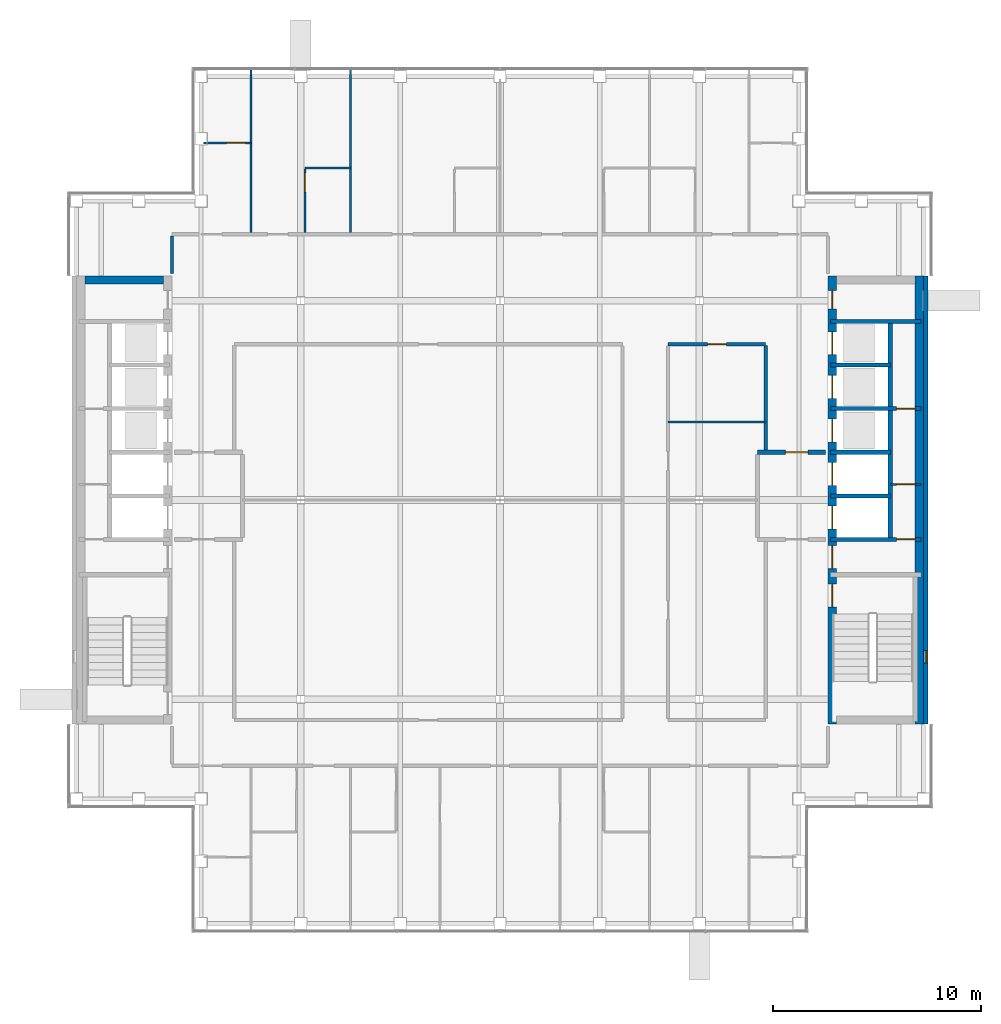
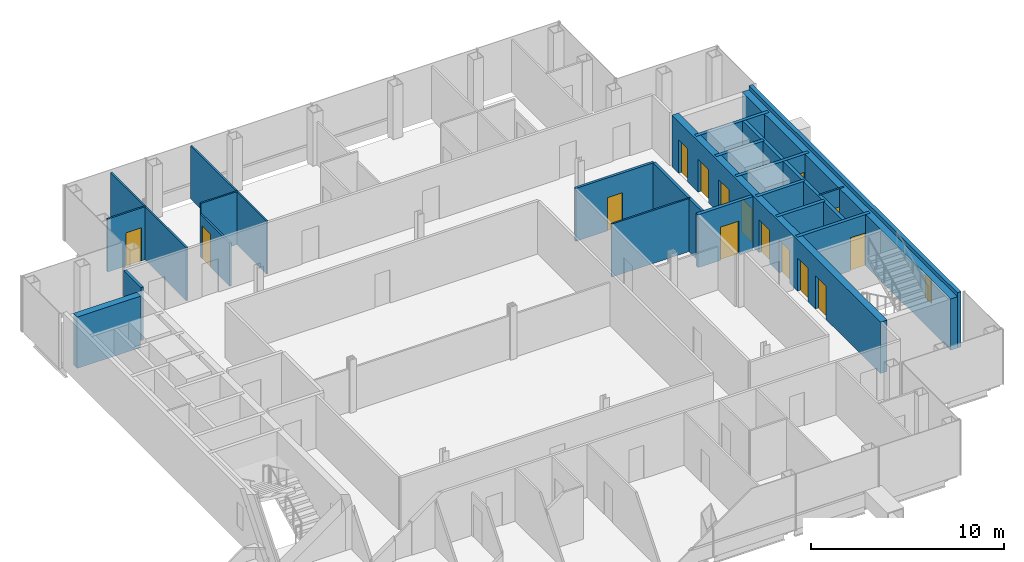
# One storey, part 12 of 15: 23 walls, 15 doors, 1 window, 16 openings.
"""IFC4 building model written with IfcOpenShell, lengths in metres."""

import ifcopenshell
import ifcopenshell.guid

model = None  # the IFC model being written
_history = None  # IfcOwnerHistory: only IFC2X3 demands one
_inside = {}  # id of a spatial element -> (the spatial element, [elements in it])
_under = {}  # id of a project, library or spatial element -> (it, [spatial elements below it])
_declared = {}  # id of a project -> (the project, [libraries it declares])
_typed = {}  # id of a type object -> (the type object, [elements of that type])
_made_of = {}  # id of a material, layer set ... -> (it, [elements and type objects made of it])


def new_model(schema):
    """Start an empty IFC model of exactly this schema.

    Asked for "IFC4X3", IfcOpenShell would pick the latest addendum, in which some entities
    have other attributes; the version numbers below select the first issue.
    IFC2X3 requires an IfcOwnerHistory on every rooted entity: one is made here for all.
    """
    global model, _history
    if schema == "IFC4X3":
        model = ifcopenshell.file(schema_version=(4, 3, 0, 0))
    else:
        model = ifcopenshell.file(schema=schema)
    _inside.clear()
    _under.clear()
    _declared.clear()
    _typed.clear()
    _made_of.clear()
    _history = None
    if model.schema == "IFC2X3":
        org = make("IfcOrganization", Name="unknown")
        user = make(
            "IfcPersonAndOrganization",
            ThePerson=make("IfcPerson", FamilyName="unknown"),
            TheOrganization=org,
        )
        app = make(
            "IfcApplication",
            ApplicationDeveloper=org,
            Version="unknown",
            ApplicationFullName="unknown",
            ApplicationIdentifier="unknown",
        )
        _history = make(
            "IfcOwnerHistory",
            OwningUser=user,
            OwningApplication=app,
            ChangeAction="ADDED",
            CreationDate=0,
        )
    return model


def make(cls, **values):
    """One entity of the class cls with the attributes given. An attribute that is None is left unset."""
    return model.create_entity(
        cls, **{name: value for name, value in values.items() if value is not None}
    )


def rooted(cls, **values):
    """An entity with a GlobalId (a new one), such as an element, a storey or a relation."""
    return make(cls, GlobalId=ifcopenshell.guid.new(), OwnerHistory=_history, **values)


def si_unit(unit_type, name, prefix=None):
    """IfcSIUnit, for example si_unit("LENGTHUNIT", "METRE", prefix="MILLI")."""
    return make("IfcSIUnit", UnitType=unit_type, Prefix=prefix, Name=name)


def assignment(units):
    """IfcUnitAssignment: the units of a project."""
    return None if units is None else make("IfcUnitAssignment", Units=units)


def point(xyz):
    """IfcCartesianPoint."""
    return None if xyz is None else make("IfcCartesianPoint", Coordinates=xyz)


def direction(xyz):
    """IfcDirection."""
    return None if xyz is None else make("IfcDirection", DirectionRatios=xyz)


def frame(location, z_axis=None, x_axis=None):
    """IfcAxis2Placement3D, a coordinate frame: its origin and axes. An axis left out is left unset."""
    return make(
        "IfcAxis2Placement3D",
        Location=point(location),
        Axis=direction(z_axis),
        RefDirection=direction(x_axis),
    )


def frame_2d(location, x_axis=None):
    """IfcAxis2Placement2D, a coordinate frame in the plane: its origin and x axis."""
    return make(
        "IfcAxis2Placement2D", Location=point(location), RefDirection=direction(x_axis)
    )


def origin():
    """The frame at (0, 0, 0) with its axes left unset."""
    return frame((0.0, 0.0, 0.0))


def place(relative_to, where):
    """IfcLocalPlacement: puts the frame where relative to a parent placement (None: the world)."""
    return make(
        "IfcLocalPlacement", PlacementRelTo=relative_to, RelativePlacement=where
    )


def context(
    kind, dimensions, precision=None, world=None, true_north=None, identifier=None
):
    """IfcGeometricRepresentationContext, for example the 3D "Model" context."""
    return make(
        "IfcGeometricRepresentationContext",
        ContextIdentifier=identifier,
        ContextType=kind,
        CoordinateSpaceDimension=dimensions,
        Precision=precision,
        WorldCoordinateSystem=world,
        TrueNorth=true_north,
    )


def subcontext(parent, identifier, kind, view, scale=None):
    """IfcGeometricRepresentationSubContext, for example "Body" below "Model"."""
    return make(
        "IfcGeometricRepresentationSubContext",
        ContextIdentifier=identifier,
        ContextType=kind,
        ParentContext=parent,
        TargetScale=scale,
        TargetView=view,
    )


def project(units=None, contexts=None):
    """IfcProject with its units and contexts."""
    return rooted(
        "IfcProject",
        Name="project",
        RepresentationContexts=contexts,
        UnitsInContext=assignment(units),
    )


def spatial(cls, under=None, at=None, **own):
    """A site, building, storey or space (cls), placed at a placement, below another one or the project."""
    s = rooted(cls, ObjectPlacement=at, **own)
    if under is not None:
        _under.setdefault(under.id(), (under, []))[1].append(s)
    return s


def profile(cls, at=None, kind="AREA", **sizes):
    """A parametric profile (cls). Its sizes go by their IFC names, for example OverallWidth=200.0."""
    return make(cls, ProfileType=kind, Position=at, **sizes)


def rectangle(**sizes):
    """IfcRectangleProfileDef."""
    return profile("IfcRectangleProfileDef", **sizes)


def extrude(swept, where, along, depth):
    """IfcExtrudedAreaSolid: the profile swept, set in the frame where, extruded along a direction by depth."""
    return make(
        "IfcExtrudedAreaSolid",
        SweptArea=swept,
        Position=where,
        ExtrudedDirection=direction(along),
        Depth=depth,
    )


def shape(context_of_items, identifier, shape_type, items):
    """IfcShapeRepresentation: the items that make up one representation, for example the "Body"."""
    return make(
        "IfcShapeRepresentation",
        ContextOfItems=context_of_items,
        RepresentationIdentifier=identifier,
        RepresentationType=shape_type,
        Items=items,
    )


def material(Name=None, Category=None):
    """IfcMaterial."""
    return make("IfcMaterial", Name=Name, Category=Category)


def layer(
    of_material, thickness, ventilated=None, Name=None, Category=None, Priority=None
):
    """IfcMaterialLayer: one layer of a wall or slab, of a material (None: an air gap)."""
    return make(
        "IfcMaterialLayer",
        Material=of_material,
        LayerThickness=thickness,
        IsVentilated=ventilated,
        Name=Name,
        Category=Category,
        Priority=Priority,
    )


def layer_set(layers, Name=None):
    """IfcMaterialLayerSet."""
    return make("IfcMaterialLayerSet", MaterialLayers=layers, LayerSetName=Name)


def made_of(thing, what):
    """Note that an element or type object is made of a material, layer set ...; save() writes the relation."""
    if what is not None:
        _made_of.setdefault(what.id(), (what, []))[1].append(thing)
    return thing


def type_object(cls, material=None, **own):
    """A type object (cls), such as IfcWallType, which elements share."""
    return made_of(rooted(cls, **own), material)


def element(
    cls,
    number,
    at=None,
    inside=None,
    cuts=None,
    type_object=None,
    material=None,
    context=None,
    identifier="Body",
    shape_type=None,
    held_by="IfcProductDefinitionShape",
    body=None,
    shapes=None,
    **own,
):
    """One element of the class cls, such as IfcWall. Its Tag is "e" and its number.

    at: its placement. inside: the storey or other place that contains it. cuts: it is an
    opening in that element (IfcRelVoidsElement). A single representation is given by context,
    identifier, shape_type and body (its items); several are given by shapes. held_by: the class
    of the entity that holds the representations. save() writes the other relations.
    """
    e = rooted(cls, Tag="e%d" % number, ObjectPlacement=at, **own)
    if body is not None:
        shapes = [shape(context, identifier, shape_type, body)]
    if shapes is not None:
        e.Representation = make(held_by, Representations=shapes)
    if inside is not None:
        _inside.setdefault(inside.id(), (inside, []))[1].append(e)
    if cuts is not None:
        rooted(
            "IfcRelVoidsElement", RelatingBuildingElement=cuts, RelatedOpeningElement=e
        )
    if type_object is not None:
        _typed.setdefault(type_object.id(), (type_object, []))[1].append(e)
    return made_of(e, material)


def fill(opening, filler):
    """IfcRelFillsElement: the door or window that sits in an opening."""
    return rooted(
        "IfcRelFillsElement",
        RelatingOpeningElement=opening,
        RelatedBuildingElement=filler,
    )


def aggregate(whole, parts):
    """IfcRelAggregates: a whole, such as a stair, and the parts it consists of."""
    return rooted("IfcRelAggregates", RelatingObject=whole, RelatedObjects=parts)


def save(model, path):
    """Write the relations noted so far, then the file.

    IfcRelAggregates (storeys below a building ...), IfcRelContainedInSpatialStructure (elements
    in a storey), IfcRelDefinesByType, IfcRelAssociatesMaterial and IfcRelDeclares: one each for
    every whole, place, type object, material and project.
    """
    for whole, parts in _under.values():
        aggregate(whole, parts)
    for where, things in _inside.values():
        rooted(
            "IfcRelContainedInSpatialStructure",
            RelatedElements=things,
            RelatingStructure=where,
        )
    for kind, things in _typed.values():
        rooted("IfcRelDefinesByType", RelatedObjects=things, RelatingType=kind)
    for what, things in _made_of.values():
        rooted("IfcRelAssociatesMaterial", RelatedObjects=things, RelatingMaterial=what)
    for by, libraries in _declared.values():
        rooted("IfcRelDeclares", RelatingContext=by, RelatedDefinitions=libraries)
    model.write(path)


model = new_model("IFC4")

# Units and contexts
model_context = context("Model", 3, precision=1e-05, world=origin(), true_north=direction((0.0, 1.0)))
body_context = subcontext(model_context, "Body", "Model", "MODEL_VIEW")
ifc_project = project(units=[si_unit("LENGTHUNIT", "METRE"), si_unit("AREAUNIT", "SQUARE_METRE"), si_unit("VOLUMEUNIT", "CUBIC_METRE"), si_unit("PLANEANGLEUNIT", "RADIAN"), si_unit("MASSUNIT", "GRAM", prefix="KILO")], contexts=[model_context])

# Site, building, storey
site_placement = place(None, origin())
site = spatial("IfcSite", under=ifc_project, at=site_placement, CompositionType="ELEMENT")
building_placement = place(site_placement, origin())
building = spatial("IfcBuilding", under=site, at=building_placement, Name="Cobrizo Arcos Hotel Tower", CompositionType="ELEMENT")
storey_placement = place(building_placement, frame((0.0, 0.0, 258.5)))
storey = spatial("IfcBuildingStorey", under=building, at=storey_placement, Name="L68", CompositionType="ELEMENT", Elevation=258.5)

# Wall, opening, door
ifc_material_1 = material(Name="Gypsum board partition")
ifc_layer_1 = layer(ifc_material_1, 0.14990234375)
ifc_layer_set_1 = layer_set([ifc_layer_1], Name="Corridor wall EI 60 150")
wall_type_1 = type_object("IfcWallType", Name="Corridor wall EI 60 150", PredefinedType="PARTITIONING", material=ifc_layer_set_1)
wall_1_placement = place(storey_placement, frame((8.10009765625, 7.5, 0.0), z_axis=(0.0, 0.0, 1.0), x_axis=(1.0, 0.0, 0.0)))
wall_1 = element("IfcWall", 1, at=wall_1_placement, inside=storey, type_object=wall_type_1, Name="Partition 037", PredefinedType="PARTITIONING", context=body_context, shape_type="SweptSolid", body=[
    extrude(rectangle(XDim=4.699951171875, YDim=0.14990234375, at=frame_2d((2.35009765625, 0.0))), origin(), (0.0, 0.0, 1.0), 3.35009765625),
])
opening_1_placement = place(wall_1_placement, frame((1.89990234375, 0.0, 0.0)))
opening_1 = element("IfcOpeningElement", 2, at=opening_1_placement, cuts=wall_1, Name="Opening ED-13", PredefinedType="OPENING", context=body_context, shape_type="SweptSolid", body=[
    extrude(rectangle(XDim=0.89990234375, YDim=2.10009765625, at=frame_2d((0.449951171875, 1.050048828125))), frame((0.0, 0.0869140625, 0.0), z_axis=(0.0, -1.0, 0.0), x_axis=(1.0, 0.0, 0.0)), (0.0, 0.0, 1.0), 0.173828125),
])
ifc_material_2 = material(Name="Timber door leaf", Category="wood")
door_type_1 = type_object("IfcDoorType", Name="En-suite door 900x2100", OperationType="SINGLE_SWING_LEFT", PredefinedType="DOOR", material=ifc_material_2)
door_1_placement = place(opening_1_placement, origin())
door_1 = element("IfcDoor", 3, at=door_1_placement, inside=storey, type_object=door_type_1, Name="Door ED-13", OperationType="SINGLE_SWING_LEFT", OverallHeight=2.10009765625, OverallWidth=0.89990234375, PredefinedType="DOOR", context=body_context, shape_type="SweptSolid", body=[
    extrude(rectangle(XDim=0.89990234375, YDim=2.10009765625, at=frame_2d((0.449951171875, 1.050048828125))), frame((0.0, 0.02490234375, 0.0), z_axis=(0.0, -1.0, 0.0), x_axis=(1.0, 0.0, 0.0)), (0.0, 0.0, 1.0), 0.050048828125),
])
fill(opening_1, door_1)

# Walls
wall_2_placement = place(storey_placement, frame((-15.800048828125, 10.919921875, 0.0), z_axis=(0.0, 0.0, 1.0), x_axis=(0.0, 1.0, 0.0)))
element("IfcWall", 4, at=wall_2_placement, inside=storey, type_object=wall_type_1, Name="Partition 050", PredefinedType="PARTITIONING", context=body_context, shape_type="SweptSolid", body=[
    extrude(rectangle(XDim=1.80517578125, YDim=0.14990234375, at=frame_2d((0.902587890625, 0.0))), origin(), (0.0, 0.0, 1.0), 3.35009765625),
])
wall_3_placement = place(storey_placement, frame((12.800048828125, 2.39990234375, 0.0), z_axis=(0.0, 0.0, 1.0), x_axis=(0.0, 1.0, 0.0)))
element("IfcWall", 5, at=wall_3_placement, inside=storey, type_object=wall_type_1, Name="Partition 077", PredefinedType="PARTITIONING", context=body_context, shape_type="SweptSolid", body=[
    extrude(rectangle(XDim=5.050048828125, YDim=0.14990234375, at=frame_2d((2.52490234375, 0.0))), origin(), (0.0, 0.0, 1.0), 3.35009765625),
])

# Wall, opening, window
ifc_material_3 = material(Name="Aluminium composite panel pale metal", Category="aluminium")
ifc_layer_2 = layer(ifc_material_3, 0.22509765625)
ifc_layer_set_2 = layer_set([ifc_layer_2], Name="EW-1 insulated panel wall 225")
wall_type_2 = type_object("IfcWallType", Name="EW-1 insulated panel wall 225", PredefinedType="SOLIDWALL", material=ifc_layer_set_2)
wall_4_placement = place(storey_placement, frame((20.512451171875, -10.800048828125, 0.0), z_axis=(0.0, 0.0, 1.0), x_axis=(0.0, 1.0, 0.0)))
wall_4 = element("IfcWall", 6, at=wall_4_placement, inside=storey, type_object=wall_type_2, Name="Core face wall L68 E", PredefinedType="SOLIDWALL", context=body_context, shape_type="SweptSolid", body=[
    extrude(rectangle(XDim=21.60009765625, YDim=0.22509765625, at=frame_2d((10.800048828125, 0.0))), origin(), (0.0, 0.0, 1.0), 3.5),
])
opening_2_placement = place(wall_4_placement, frame((2.949951171875, 0.0, 1.0)))
opening_2 = element("IfcOpeningElement", 7, at=opening_2_placement, cuts=wall_4, Name="Opening W-155", PredefinedType="OPENING", context=body_context, shape_type="SweptSolid", body=[
    extrude(rectangle(XDim=0.60009765625, YDim=1.5, at=frame_2d((0.300048828125, 0.75))), frame((0.0, 0.12451171875, 0.0), z_axis=(0.0, -1.0, 0.0), x_axis=(1.0, 0.0, 0.0)), (0.0, 0.0, 1.0), 0.2490234375),
])
ifc_material_4 = material(Name="Aluminium 6063-T6 and clear laminated glass", Category="aluminium")
window_type = type_object("IfcWindowType", Name="W-C1 core stair slot window 600x1500", PartitioningType="SINGLE_PANEL", PredefinedType="WINDOW", material=ifc_material_4)
window_placement = place(opening_2_placement, origin())
window = element("IfcWindow", 8, at=window_placement, inside=storey, type_object=window_type, Name="Core face wall L68 E window W-155", OverallHeight=1.5, OverallWidth=0.60009765625, PartitioningType="SINGLE_PANEL", PredefinedType="WINDOW", context=body_context, shape_type="SweptSolid", body=[
    extrude(rectangle(XDim=0.60009765625, YDim=1.5, at=frame_2d((0.300048828125, 0.75))), frame((0.0, -0.0224609375, 0.0), z_axis=(0.0, -1.0, 0.0), x_axis=(1.0, 0.0, 0.0)), (0.0, 0.0, 1.0), 0.06005859375),
])
fill(opening_2, window)

# Wall, opening, door
ifc_layer_3 = layer(ifc_material_1, 0.10009765625)
ifc_layer_set_3 = layer_set([ifc_layer_3], Name="Partition EI 30 100")
wall_type_3 = type_object("IfcWallType", Name="Partition EI 30 100", PredefinedType="PARTITIONING", material=ifc_layer_set_3)
wall_5_placement = place(storey_placement, frame((18.800048828125, 0.75, 0.0), z_axis=(0.0, 0.0, 1.0), x_axis=(1.0, 0.0, 0.0)))
wall_5 = element("IfcWall", 9, at=wall_5_placement, inside=storey, type_object=wall_type_3, Name="Partition 026", PredefinedType="PARTITIONING", context=body_context, shape_type="SweptSolid", body=[
    extrude(rectangle(XDim=1.47998046875, YDim=0.10009765625, at=frame_2d((0.739990234375, 0.0))), origin(), (0.0, 0.0, 1.0), 3.25),
])
opening_3_placement = place(wall_5_placement, frame((0.300048828125, 0.0, 0.0)))
opening_3 = element("IfcOpeningElement", 10, at=opening_3_placement, cuts=wall_5, Name="Opening RD-07", PredefinedType="OPENING", context=body_context, shape_type="SweptSolid", body=[
    extrude(rectangle(XDim=0.89990234375, YDim=2.10009765625, at=frame_2d((0.449951171875, 1.050048828125))), frame((0.0, 0.06201171875, 0.0), z_axis=(0.0, -1.0, 0.0), x_axis=(1.0, 0.0, 0.0)), (0.0, 0.0, 1.0), 0.1240234375),
])
door_type_2 = type_object("IfcDoorType", Name="Room door FD30 900x2100", OperationType="SINGLE_SWING_LEFT", PredefinedType="DOOR", material=ifc_material_2)
door_2_placement = place(opening_3_placement, origin())
door_2 = element("IfcDoor", 11, at=door_2_placement, inside=storey, type_object=door_type_2, Name="Door RD-07", OperationType="SINGLE_SWING_RIGHT", OverallHeight=2.10009765625, OverallWidth=0.89990234375, PredefinedType="DOOR", context=body_context, shape_type="SweptSolid", body=[
    extrude(rectangle(XDim=0.89990234375, YDim=2.10009765625, at=frame_2d((0.449951171875, 1.050048828125))), frame((0.0, 0.02490234375, 0.0), z_axis=(0.0, -1.0, 0.0), x_axis=(1.0, 0.0, 0.0)), (0.0, 0.0, 1.0), 0.050048828125),
])
fill(opening_3, door_2)

# Walls
wall_6_placement = place(storey_placement, frame((8.10009765625, 3.75, 0.0), z_axis=(0.0, 0.0, 1.0), x_axis=(1.0, 0.0, 0.0)))
element("IfcWall", 12, at=wall_6_placement, inside=storey, type_object=wall_type_3, Name="Partition 031", PredefinedType="PARTITIONING", context=body_context, shape_type="SweptSolid", body=[
    extrude(rectangle(XDim=4.699951171875, YDim=0.10009765625, at=frame_2d((2.35009765625, 0.0))), origin(), (0.0, 0.0, 1.0), 3.35009765625),
])
wall_7_placement = place(storey_placement, frame((-9.39990234375, 16.0, 0.0), z_axis=(0.0, 0.0, 1.0), x_axis=(1.0, 0.0, 0.0)))
element("IfcWall", 13, at=wall_7_placement, inside=storey, type_object=wall_type_3, Name="Partition 041", PredefinedType="PARTITIONING", context=body_context, shape_type="SweptSolid", body=[
    extrude(rectangle(XDim=2.199951171875, YDim=0.10009765625, at=frame_2d((1.10009765625, 0.0))), origin(), (0.0, 0.0, 1.0), 3.35009765625),
])

# Wall, opening, door
wall_8_placement = place(storey_placement, frame((-14.280029296875, 17.199951171875, 0.0), z_axis=(0.0, 0.0, 1.0), x_axis=(1.0, 0.0, 0.0)))
wall_8 = element("IfcWall", 14, at=wall_8_placement, inside=storey, type_object=wall_type_3, Name="Partition 044", PredefinedType="PARTITIONING", context=body_context, shape_type="SweptSolid", body=[
    extrude(rectangle(XDim=2.280029296875, YDim=0.10009765625, at=frame_2d((1.14013671875, 0.0))), origin(), (0.0, 0.0, 1.0), 3.35009765625),
])
opening_4_placement = place(wall_8_placement, frame((1.110107421875, 0.0, 0.0)))
opening_4 = element("IfcOpeningElement", 15, at=opening_4_placement, cuts=wall_8, Name="Opening ED-09", PredefinedType="OPENING", context=body_context, shape_type="SweptSolid", body=[
    extrude(rectangle(XDim=0.89990234375, YDim=2.10009765625, at=frame_2d((0.449951171875, 1.050048828125))), frame((0.0, 0.06201171875, 0.0), z_axis=(0.0, -1.0, 0.0), x_axis=(1.0, 0.0, 0.0)), (0.0, 0.0, 1.0), 0.1240234375),
])
door_3_placement = place(opening_4_placement, origin())
door_3 = element("IfcDoor", 16, at=door_3_placement, inside=storey, type_object=door_type_1, Name="Door ED-09", OperationType="SINGLE_SWING_RIGHT", OverallHeight=2.10009765625, OverallWidth=0.89990234375, PredefinedType="DOOR", context=body_context, shape_type="SweptSolid", body=[
    extrude(rectangle(XDim=0.89990234375, YDim=2.10009765625, at=frame_2d((0.449951171875, 1.050048828125))), frame((0.0, 0.02490234375, 0.0), z_axis=(0.0, -1.0, 0.0), x_axis=(1.0, 0.0, 0.0)), (0.0, 0.0, 1.0), 0.050048828125),
])
fill(opening_4, door_3)

# Wall
wall_9_placement = place(storey_placement, frame((-12.0, 12.875, 0.0), z_axis=(0.0, 0.0, 1.0), x_axis=(0.0, 1.0, 0.0)))
element("IfcWall", 17, at=wall_9_placement, inside=storey, type_object=wall_type_3, Name="Partition 055", PredefinedType="PARTITIONING", context=body_context, shape_type="SweptSolid", body=[
    extrude(rectangle(XDim=7.85498046875, YDim=0.10009765625, at=frame_2d((3.927490234375, 0.0))), origin(), (0.0, 0.0, 1.0), 3.35009765625),
])

# Wall, opening, door
wall_10_placement = place(storey_placement, frame((-9.39990234375, 12.875, 0.0), z_axis=(0.0, 0.0, 1.0), x_axis=(0.0, 1.0, 0.0)))
wall_10 = element("IfcWall", 18, at=wall_10_placement, inside=storey, type_object=wall_type_3, Name="Partition 057", PredefinedType="PARTITIONING", context=body_context, shape_type="SweptSolid", body=[
    extrude(rectangle(XDim=3.074951171875, YDim=0.10009765625, at=frame_2d((1.53759765625, 0.0))), origin(), (0.0, 0.0, 1.0), 2.72802734375),
])
opening_5_placement = place(wall_10_placement, frame((1.970947265625, 0.0, 0.0)))
opening_5 = element("IfcOpeningElement", 19, at=opening_5_placement, cuts=wall_10, Name="Opening ED-01", PredefinedType="OPENING", context=body_context, shape_type="SweptSolid", body=[
    extrude(rectangle(XDim=0.89990234375, YDim=2.10009765625, at=frame_2d((0.449951171875, 1.050048828125))), frame((0.0, 0.06201171875, 0.0), z_axis=(0.0, -1.0, 0.0), x_axis=(1.0, 0.0, 0.0)), (0.0, 0.0, 1.0), 0.1240234375),
])
door_4_placement = place(opening_5_placement, origin())
door_4 = element("IfcDoor", 20, at=door_4_placement, inside=storey, type_object=door_type_1, Name="Door ED-01", OperationType="SINGLE_SWING_LEFT", OverallHeight=2.10009765625, OverallWidth=0.89990234375, PredefinedType="DOOR", context=body_context, shape_type="SweptSolid", body=[
    extrude(rectangle(XDim=0.89990234375, YDim=2.10009765625, at=frame_2d((0.449951171875, 1.050048828125))), frame((0.0, 0.02490234375, 0.0), z_axis=(0.0, -1.0, 0.0), x_axis=(1.0, 0.0, 0.0)), (0.0, 0.0, 1.0), 0.050048828125),
])
fill(opening_5, door_4)

# Wall
wall_11_placement = place(storey_placement, frame((-7.199951171875, 12.875, 0.0), z_axis=(0.0, 0.0, 1.0), x_axis=(0.0, 1.0, 0.0)))
element("IfcWall", 21, at=wall_11_placement, inside=storey, type_object=wall_type_3, Name="Partition 059", PredefinedType="PARTITIONING", context=body_context, shape_type="SweptSolid", body=[
    extrude(rectangle(XDim=7.85498046875, YDim=0.10009765625, at=frame_2d((3.927490234375, 0.0))), origin(), (0.0, 0.0, 1.0), 3.35009765625),
])

# Wall, openings, doors
ifc_material_5 = material(Name="Concrete f'c 40 MPa", Category="concrete")
ifc_layer_4 = layer(ifc_material_5, 0.39990234375)
ifc_layer_set_4 = layer_set([ifc_layer_4], Name="RC core wall 400 f'c 40")
wall_type_4 = type_object("IfcWallType", Name="RC core wall 400 f'c 40", PredefinedType="SHEAR", material=ifc_layer_set_4)
wall_12_placement = place(storey_placement, frame((16.0, -10.800048828125, 0.0), z_axis=(0.0, 0.0, 1.0), x_axis=(0.0, 1.0, 0.0)))
wall_12 = element("IfcWall", 22, at=wall_12_placement, inside=storey, type_object=wall_type_4, Name="Core wall CW4, east core, inner face, L68", PredefinedType="SHEAR", context=body_context, shape_type="SweptSolid", body=[
    extrude(rectangle(XDim=21.60009765625, YDim=0.39990234375, at=frame_2d((10.800048828125, 0.0))), origin(), (0.0, 0.0, 1.0), 3.25),
])
opening_6_placement = place(wall_12_placement, frame((9.39990234375, 0.0, 0.0)))
opening_6 = element("IfcOpeningElement", 23, at=opening_6_placement, cuts=wall_12, Name="Opening LD-06", PredefinedType="OPENING", context=body_context, shape_type="SweptSolid", body=[
    extrude(rectangle(XDim=1.10009765625, YDim=2.10009765625, at=frame_2d((0.550048828125, 1.050048828125))), frame((0.0, 0.2119140625, 0.0), z_axis=(0.0, -1.0, 0.0), x_axis=(1.0, 0.0, 0.0)), (0.0, 0.0, 1.0), 0.423828125),
])
opening_7_placement = place(wall_12_placement, frame((11.5, 0.0, 0.0)))
opening_7 = element("IfcOpeningElement", 24, at=opening_7_placement, cuts=wall_12, Name="Opening LD-07", PredefinedType="OPENING", context=body_context, shape_type="SweptSolid", body=[
    extrude(rectangle(XDim=1.10009765625, YDim=2.10009765625, at=frame_2d((0.550048828125, 1.050048828125))), frame((0.0, 0.2119140625, 0.0), z_axis=(0.0, -1.0, 0.0), x_axis=(1.0, 0.0, 0.0)), (0.0, 0.0, 1.0), 0.423828125),
])
opening_8_placement = place(wall_12_placement, frame((13.60009765625, 0.0, 0.0)))
opening_8 = element("IfcOpeningElement", 25, at=opening_8_placement, cuts=wall_12, Name="Opening LD-08", PredefinedType="OPENING", context=body_context, shape_type="SweptSolid", body=[
    extrude(rectangle(XDim=1.10009765625, YDim=2.10009765625, at=frame_2d((0.550048828125, 1.050048828125))), frame((0.0, 0.2119140625, 0.0), z_axis=(0.0, -1.0, 0.0), x_axis=(1.0, 0.0, 0.0)), (0.0, 0.0, 1.0), 0.423828125),
])
opening_9_placement = place(wall_12_placement, frame((15.699951171875, 0.0, 0.0)))
opening_9 = element("IfcOpeningElement", 26, at=opening_9_placement, cuts=wall_12, Name="Opening LD-09", PredefinedType="OPENING", context=body_context, shape_type="SweptSolid", body=[
    extrude(rectangle(XDim=1.10009765625, YDim=2.10009765625, at=frame_2d((0.550048828125, 1.050048828125))), frame((0.0, 0.2119140625, 0.0), z_axis=(0.0, -1.0, 0.0), x_axis=(1.0, 0.0, 0.0)), (0.0, 0.0, 1.0), 0.423828125),
])
opening_10_placement = place(wall_12_placement, frame((17.800048828125, 0.0, 0.0)))
opening_10 = element("IfcOpeningElement", 27, at=opening_10_placement, cuts=wall_12, Name="Opening LD-10", PredefinedType="OPENING", context=body_context, shape_type="SweptSolid", body=[
    extrude(rectangle(XDim=1.10009765625, YDim=2.10009765625, at=frame_2d((0.550048828125, 1.050048828125))), frame((0.0, 0.2119140625, 0.0), z_axis=(0.0, -1.0, 0.0), x_axis=(1.0, 0.0, 0.0)), (0.0, 0.0, 1.0), 0.423828125),
])
opening_11_placement = place(wall_12_placement, frame((5.64208984375, 0.0, 0.0)))
opening_11 = element("IfcOpeningElement", 28, at=opening_11_placement, cuts=wall_12, Name="Opening SD-02", PredefinedType="OPENING", context=body_context, shape_type="SweptSolid", body=[
    extrude(rectangle(XDim=1.10009765625, YDim=2.10009765625, at=frame_2d((0.550048828125, 1.050048828125))), frame((0.0, 0.2119140625, 0.0), z_axis=(0.0, -1.0, 0.0), x_axis=(1.0, 0.0, 0.0)), (0.0, 0.0, 1.0), 0.423828125),
])
opening_12_placement = place(wall_12_placement, frame((7.5, 0.0, 0.0)))
opening_12 = element("IfcOpeningElement", 29, at=opening_12_placement, cuts=wall_12, Name="Opening FD-04", PredefinedType="OPENING", context=body_context, shape_type="SweptSolid", body=[
    extrude(rectangle(XDim=1.10009765625, YDim=2.10009765625, at=frame_2d((0.550048828125, 1.050048828125))), frame((0.0, 0.2119140625, 0.0), z_axis=(0.0, -1.0, 0.0), x_axis=(1.0, 0.0, 0.0)), (0.0, 0.0, 1.0), 0.423828125),
])
opening_13_placement = place(wall_12_placement, frame((20.0, 0.0, 0.0)))
opening_13 = element("IfcOpeningElement", 30, at=opening_13_placement, cuts=wall_12, Name="Opening RD-05", PredefinedType="OPENING", context=body_context, shape_type="SweptSolid", body=[
    extrude(rectangle(XDim=0.89990234375, YDim=2.10009765625, at=frame_2d((0.449951171875, 1.050048828125))), frame((0.0, 0.2119140625, 0.0), z_axis=(0.0, -1.0, 0.0), x_axis=(1.0, 0.0, 0.0)), (0.0, 0.0, 1.0), 0.423828125),
])
ifc_material_6 = material(Name="Steel door leaf", Category="steel")
door_type_3 = type_object("IfcDoorType", Name="Fire door FD60 1100x2100", OperationType="SINGLE_SWING_LEFT", PredefinedType="DOOR", material=ifc_material_6)
door_5_placement = place(opening_12_placement, origin())
door_5 = element("IfcDoor", 31, at=door_5_placement, inside=storey, type_object=door_type_3, Name="Door FD-04", OperationType="SINGLE_SWING_RIGHT", OverallHeight=2.10009765625, OverallWidth=1.10009765625, PredefinedType="DOOR", context=body_context, shape_type="SweptSolid", body=[
    extrude(rectangle(XDim=1.10009765625, YDim=2.10009765625, at=frame_2d((0.550048828125, 1.050048828125))), frame((0.0, 0.02490234375, 0.0), z_axis=(0.0, -1.0, 0.0), x_axis=(1.0, 0.0, 0.0)), (0.0, 0.0, 1.0), 0.050048828125),
])
fill(opening_12, door_5)
door_type_4 = type_object("IfcDoorType", Name="Lift landing door 1100x2100", OperationType="SLIDING_TO_LEFT", PredefinedType="DOOR", material=ifc_material_6)
door_6_placement = place(opening_6_placement, origin())
door_6 = element("IfcDoor", 32, at=door_6_placement, inside=storey, type_object=door_type_4, Name="Lift landing door LD-06", OperationType="SLIDING_TO_LEFT", OverallHeight=2.10009765625, OverallWidth=1.10009765625, PredefinedType="DOOR", context=body_context, shape_type="SweptSolid", body=[
    extrude(rectangle(XDim=1.10009765625, YDim=2.10009765625, at=frame_2d((0.550048828125, 1.050048828125))), frame((0.0, 0.02490234375, 0.0), z_axis=(0.0, -1.0, 0.0), x_axis=(1.0, 0.0, 0.0)), (0.0, 0.0, 1.0), 0.050048828125),
])
fill(opening_6, door_6)
door_7_placement = place(opening_7_placement, origin())
door_7 = element("IfcDoor", 33, at=door_7_placement, inside=storey, type_object=door_type_4, Name="Lift landing door LD-07", OperationType="SLIDING_TO_LEFT", OverallHeight=2.10009765625, OverallWidth=1.10009765625, PredefinedType="DOOR", context=body_context, shape_type="SweptSolid", body=[
    extrude(rectangle(XDim=1.10009765625, YDim=2.10009765625, at=frame_2d((0.550048828125, 1.050048828125))), frame((0.0, 0.02490234375, 0.0), z_axis=(0.0, -1.0, 0.0), x_axis=(1.0, 0.0, 0.0)), (0.0, 0.0, 1.0), 0.050048828125),
])
fill(opening_7, door_7)
door_8_placement = place(opening_8_placement, origin())
door_8 = element("IfcDoor", 34, at=door_8_placement, inside=storey, type_object=door_type_4, Name="Lift landing door LD-08", OperationType="SLIDING_TO_LEFT", OverallHeight=2.10009765625, OverallWidth=1.10009765625, PredefinedType="DOOR", context=body_context, shape_type="SweptSolid", body=[
    extrude(rectangle(XDim=1.10009765625, YDim=2.10009765625, at=frame_2d((0.550048828125, 1.050048828125))), frame((0.0, 0.02490234375, 0.0), z_axis=(0.0, -1.0, 0.0), x_axis=(1.0, 0.0, 0.0)), (0.0, 0.0, 1.0), 0.050048828125),
])
fill(opening_8, door_8)
door_9_placement = place(opening_9_placement, origin())
door_9 = element("IfcDoor", 35, at=door_9_placement, inside=storey, type_object=door_type_4, Name="Lift landing door LD-09", OperationType="SLIDING_TO_LEFT", OverallHeight=2.10009765625, OverallWidth=1.10009765625, PredefinedType="DOOR", context=body_context, shape_type="SweptSolid", body=[
    extrude(rectangle(XDim=1.10009765625, YDim=2.10009765625, at=frame_2d((0.550048828125, 1.050048828125))), frame((0.0, 0.02490234375, 0.0), z_axis=(0.0, -1.0, 0.0), x_axis=(1.0, 0.0, 0.0)), (0.0, 0.0, 1.0), 0.050048828125),
])
fill(opening_9, door_9)
door_10_placement = place(opening_10_placement, origin())
door_10 = element("IfcDoor", 36, at=door_10_placement, inside=storey, type_object=door_type_4, Name="Lift landing door LD-10", OperationType="SLIDING_TO_LEFT", OverallHeight=2.10009765625, OverallWidth=1.10009765625, PredefinedType="DOOR", context=body_context, shape_type="SweptSolid", body=[
    extrude(rectangle(XDim=1.10009765625, YDim=2.10009765625, at=frame_2d((0.550048828125, 1.050048828125))), frame((0.0, 0.02490234375, 0.0), z_axis=(0.0, -1.0, 0.0), x_axis=(1.0, 0.0, 0.0)), (0.0, 0.0, 1.0), 0.050048828125),
])
fill(opening_10, door_10)
door_11_placement = place(opening_13_placement, origin())
door_11 = element("IfcDoor", 37, at=door_11_placement, inside=storey, type_object=door_type_2, Name="Door RD-05", OperationType="SINGLE_SWING_LEFT", OverallHeight=2.10009765625, OverallWidth=0.89990234375, PredefinedType="DOOR", context=body_context, shape_type="SweptSolid", body=[
    extrude(rectangle(XDim=0.89990234375, YDim=2.10009765625, at=frame_2d((0.449951171875, 1.050048828125))), frame((0.0, 0.02490234375, 0.0), z_axis=(0.0, -1.0, 0.0), x_axis=(1.0, 0.0, 0.0)), (0.0, 0.0, 1.0), 0.050048828125),
])
fill(opening_13, door_11)
door_type_5 = type_object("IfcDoorType", Name="Stair door FD60S 1100x2100", OperationType="SINGLE_SWING_LEFT", PredefinedType="DOOR", material=ifc_material_6)
door_12_placement = place(opening_11_placement, origin())
door_12 = element("IfcDoor", 38, at=door_12_placement, inside=storey, type_object=door_type_5, Name="Door SD-02", OperationType="SINGLE_SWING_LEFT", OverallHeight=2.10009765625, OverallWidth=1.10009765625, PredefinedType="DOOR", context=body_context, shape_type="SweptSolid", body=[
    extrude(rectangle(XDim=1.10009765625, YDim=2.10009765625, at=frame_2d((0.550048828125, 1.050048828125))), frame((0.0, 0.02490234375, 0.0), z_axis=(0.0, -1.0, 0.0), x_axis=(1.0, 0.0, 0.0)), (0.0, 0.0, 1.0), 0.050048828125),
])
fill(opening_11, door_12)

# Walls
wall_13_placement = place(storey_placement, frame((20.199951171875, -10.800048828125, 0.0), z_axis=(0.0, 0.0, 1.0), x_axis=(0.0, 1.0, 0.0)))
element("IfcWall", 39, at=wall_13_placement, inside=storey, type_object=wall_type_4, Name="Core wall CW4, east core, outer face, L68", PredefinedType="SHEAR", context=body_context, shape_type="SweptSolid", body=[
    extrude(rectangle(XDim=21.60009765625, YDim=0.39990234375, at=frame_2d((10.800048828125, 0.0))), origin(), (0.0, 0.0, 1.0), 3.25),
])
wall_14_placement = place(storey_placement, frame((-20.0, 10.60009765625, 0.0), z_axis=(0.0, 0.0, 1.0), x_axis=(1.0, 0.0, 0.0)))
element("IfcWall", 40, at=wall_14_placement, inside=storey, type_object=wall_type_4, Name="Core wall CW4, west core, north end, L68", PredefinedType="SHEAR", context=body_context, shape_type="SweptSolid", body=[
    extrude(rectangle(XDim=3.800048828125, YDim=0.39990234375, at=frame_2d((1.89990234375, 0.0))), origin(), (0.0, 0.0, 1.0), 3.25),
])

# Wall, opening, door
ifc_layer_5 = layer(ifc_material_1, 0.199951171875)
ifc_layer_set_5 = layer_set([ifc_layer_5], Name="Shaft wall EI 120 200")
wall_type_5 = type_object("IfcWallType", Name="Shaft wall EI 120 200", PredefinedType="PARTITIONING", material=ifc_layer_set_5)
wall_15_placement = place(storey_placement, frame((15.919921875, -1.89990234375, 0.0), z_axis=(0.0, 0.0, 1.0), x_axis=(1.0, 0.0, 0.0)))
wall_15 = element("IfcWall", 41, at=wall_15_placement, inside=storey, type_object=wall_type_5, Name="Partition 014", PredefinedType="PARTITIONING", context=body_context, shape_type="SweptSolid", body=[
    extrude(rectangle(XDim=4.360107421875, YDim=0.199951171875, at=frame_2d((2.18017578125, 0.0))), origin(), (0.0, 0.0, 1.0), 3.25),
])
opening_14_placement = place(wall_15_placement, frame((3.179931640625, 0.0, 0.0)))
opening_14 = element("IfcOpeningElement", 42, at=opening_14_placement, cuts=wall_15, Name="Opening RD-06", PredefinedType="OPENING", context=body_context, shape_type="SweptSolid", body=[
    extrude(rectangle(XDim=0.89990234375, YDim=2.10009765625, at=frame_2d((0.449951171875, 1.050048828125))), frame((0.0, 0.112060546875, 0.0), z_axis=(0.0, -1.0, 0.0), x_axis=(1.0, 0.0, 0.0)), (0.0, 0.0, 1.0), 0.223876953125),
])
door_13_placement = place(opening_14_placement, origin())
door_13 = element("IfcDoor", 43, at=door_13_placement, inside=storey, type_object=door_type_2, Name="Door RD-06", OperationType="SINGLE_SWING_RIGHT", OverallHeight=2.10009765625, OverallWidth=0.89990234375, PredefinedType="DOOR", context=body_context, shape_type="SweptSolid", body=[
    extrude(rectangle(XDim=0.89990234375, YDim=2.10009765625, at=frame_2d((0.449951171875, 1.050048828125))), frame((0.0, 0.02490234375, 0.0), z_axis=(0.0, -1.0, 0.0), x_axis=(1.0, 0.0, 0.0)), (0.0, 0.0, 1.0), 0.050048828125),
])
fill(opening_14, door_13)

# Wall
wall_16_placement = place(storey_placement, frame((15.919921875, 0.199951171875, 0.0), z_axis=(0.0, 0.0, 1.0), x_axis=(1.0, 0.0, 0.0)))
element("IfcWall", 44, at=wall_16_placement, inside=storey, type_object=wall_type_5, Name="Partition 024", PredefinedType="PARTITIONING", context=body_context, shape_type="SweptSolid", body=[
    extrude(rectangle(XDim=2.880126953125, YDim=0.199951171875, at=frame_2d((1.43994140625, 0.0))), origin(), (0.0, 0.0, 1.0), 3.25),
])

# Wall, opening, door
wall_17_placement = place(storey_placement, frame((12.39990234375, 2.300048828125, 0.0), z_axis=(0.0, 0.0, 1.0), x_axis=(1.0, 0.0, 0.0)))
wall_17 = element("IfcWall", 45, at=wall_17_placement, inside=storey, type_object=wall_type_5, Name="Partition 029", PredefinedType="PARTITIONING", context=body_context, shape_type="SweptSolid", body=[
    extrude(rectangle(XDim=3.280029296875, YDim=0.199951171875, at=frame_2d((1.64013671875, 0.0))), origin(), (0.0, 0.0, 1.0), 3.35009765625),
])
opening_15_placement = place(wall_17_placement, frame((1.340087890625, 0.0, 0.0)))
opening_15 = element("IfcOpeningElement", 46, at=opening_15_placement, cuts=wall_17, Name="Opening FD-05", PredefinedType="OPENING", context=body_context, shape_type="SweptSolid", body=[
    extrude(rectangle(XDim=1.10009765625, YDim=2.10009765625, at=frame_2d((0.550048828125, 1.050048828125))), frame((0.0, 0.112060546875, 0.0), z_axis=(0.0, -1.0, 0.0), x_axis=(1.0, 0.0, 0.0)), (0.0, 0.0, 1.0), 0.223876953125),
])
door_14_placement = place(opening_15_placement, origin())
door_14 = element("IfcDoor", 47, at=door_14_placement, inside=storey, type_object=door_type_3, Name="Door FD-05", OperationType="SINGLE_SWING_RIGHT", OverallHeight=2.10009765625, OverallWidth=1.10009765625, PredefinedType="DOOR", context=body_context, shape_type="SweptSolid", body=[
    extrude(rectangle(XDim=1.10009765625, YDim=2.10009765625, at=frame_2d((0.550048828125, 1.050048828125))), frame((0.0, 0.02490234375, 0.0), z_axis=(0.0, -1.0, 0.0), x_axis=(1.0, 0.0, 0.0)), (0.0, 0.0, 1.0), 0.050048828125),
])
fill(opening_15, door_14)

# Wall
wall_18_placement = place(storey_placement, frame((15.919921875, 2.300048828125, 0.0), z_axis=(0.0, 0.0, 1.0), x_axis=(1.0, 0.0, 0.0)))
element("IfcWall", 48, at=wall_18_placement, inside=storey, type_object=wall_type_5, Name="Partition 030", PredefinedType="PARTITIONING", context=body_context, shape_type="SweptSolid", body=[
    extrude(rectangle(XDim=2.880126953125, YDim=0.199951171875, at=frame_2d((1.43994140625, 0.0))), origin(), (0.0, 0.0, 1.0), 3.25),
])

# Wall, opening, door
wall_19_placement = place(storey_placement, frame((15.919921875, 4.39990234375, 0.0), z_axis=(0.0, 0.0, 1.0), x_axis=(1.0, 0.0, 0.0)))
wall_19 = element("IfcWall", 49, at=wall_19_placement, inside=storey, type_object=wall_type_5, Name="Partition 033", PredefinedType="PARTITIONING", context=body_context, shape_type="SweptSolid", body=[
    extrude(rectangle(XDim=4.360107421875, YDim=0.199951171875, at=frame_2d((2.18017578125, 0.0))), origin(), (0.0, 0.0, 1.0), 3.25),
])
opening_16_placement = place(wall_19_placement, frame((3.179931640625, 0.0, 0.0)))
opening_16 = element("IfcOpeningElement", 50, at=opening_16_placement, cuts=wall_19, Name="Opening RD-08", PredefinedType="OPENING", context=body_context, shape_type="SweptSolid", body=[
    extrude(rectangle(XDim=0.89990234375, YDim=2.10009765625, at=frame_2d((0.449951171875, 1.050048828125))), frame((0.0, 0.112060546875, 0.0), z_axis=(0.0, -1.0, 0.0), x_axis=(1.0, 0.0, 0.0)), (0.0, 0.0, 1.0), 0.223876953125),
])
door_15_placement = place(opening_16_placement, origin())
door_15 = element("IfcDoor", 51, at=door_15_placement, inside=storey, type_object=door_type_2, Name="Door RD-08", OperationType="SINGLE_SWING_RIGHT", OverallHeight=2.10009765625, OverallWidth=0.89990234375, PredefinedType="DOOR", context=body_context, shape_type="SweptSolid", body=[
    extrude(rectangle(XDim=0.89990234375, YDim=2.10009765625, at=frame_2d((0.449951171875, 1.050048828125))), frame((0.0, 0.02490234375, 0.0), z_axis=(0.0, -1.0, 0.0), x_axis=(1.0, 0.0, 0.0)), (0.0, 0.0, 1.0), 0.050048828125),
])
fill(opening_16, door_15)

# Walls
wall_20_placement = place(storey_placement, frame((15.919921875, 6.5, 0.0), z_axis=(0.0, 0.0, 1.0), x_axis=(1.0, 0.0, 0.0)))
element("IfcWall", 52, at=wall_20_placement, inside=storey, type_object=wall_type_5, Name="Partition 035", PredefinedType="PARTITIONING", context=body_context, shape_type="SweptSolid", body=[
    extrude(rectangle(XDim=2.880126953125, YDim=0.199951171875, at=frame_2d((1.43994140625, 0.0))), origin(), (0.0, 0.0, 1.0), 3.25),
])
wall_21_placement = place(storey_placement, frame((15.919921875, 8.60009765625, 0.0), z_axis=(0.0, 0.0, 1.0), x_axis=(1.0, 0.0, 0.0)))
element("IfcWall", 53, at=wall_21_placement, inside=storey, type_object=wall_type_5, Name="Partition 039", PredefinedType="PARTITIONING", context=body_context, shape_type="SweptSolid", body=[
    extrude(rectangle(XDim=4.360107421875, YDim=0.199951171875, at=frame_2d((2.18017578125, 0.0))), origin(), (0.0, 0.0, 1.0), 3.25),
])
wall_22_placement = place(storey_placement, frame((18.800048828125, -1.800048828125, 0.0), z_axis=(0.0, 0.0, 1.0), x_axis=(0.0, 1.0, 0.0)))
element("IfcWall", 54, at=wall_22_placement, inside=storey, type_object=wall_type_5, Name="Partition 080", PredefinedType="PARTITIONING", context=body_context, shape_type="SweptSolid", body=[
    extrude(rectangle(XDim=6.10009765625, YDim=0.199951171875, at=frame_2d((3.050048828125, 0.0))), origin(), (0.0, 0.0, 1.0), 3.25),
])
wall_23_placement = place(storey_placement, frame((18.800048828125, 4.5, 0.0), z_axis=(0.0, 0.0, 1.0), x_axis=(0.0, 1.0, 0.0)))
element("IfcWall", 55, at=wall_23_placement, inside=storey, type_object=wall_type_5, Name="Partition 081", PredefinedType="PARTITIONING", context=body_context, shape_type="SweptSolid", body=[
    extrude(rectangle(XDim=4.0, YDim=0.199951171875, at=frame_2d((2.0, 0.0))), origin(), (0.0, 0.0, 1.0), 3.25),
])

save(model, "model.ifc")
